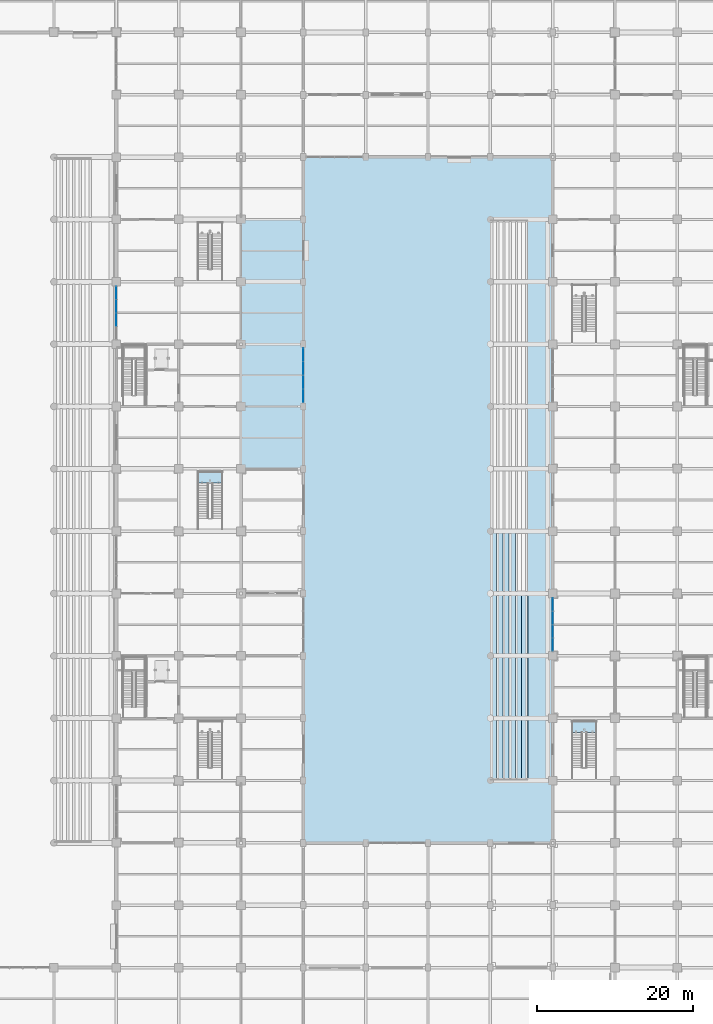
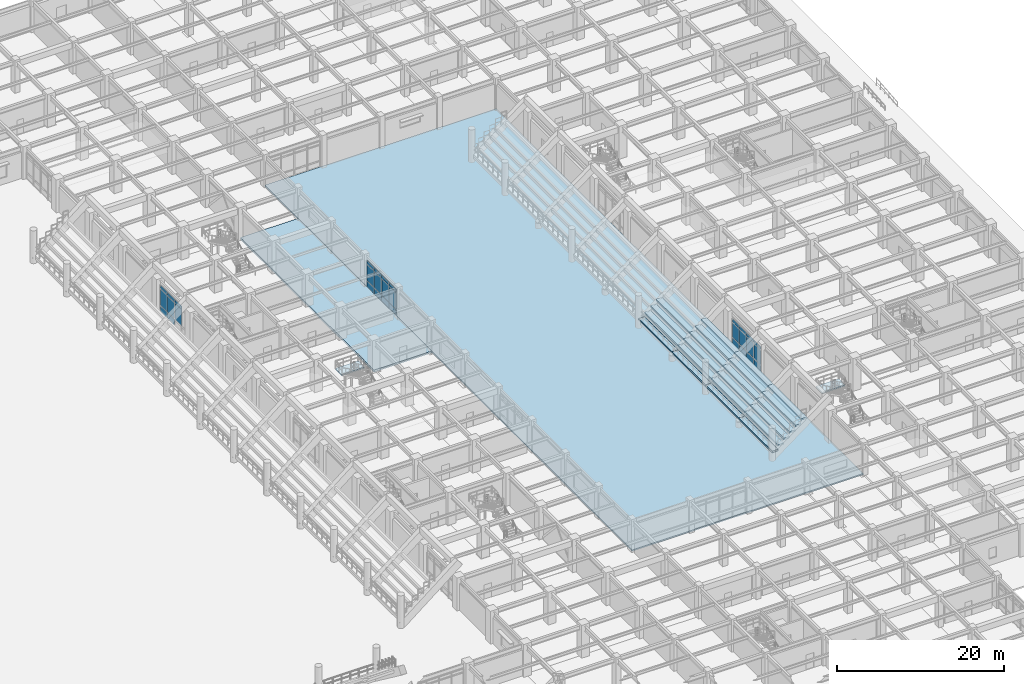
# One storey, part 65 of 125: 32 plates, 26 slabs, 5 elements without a shape of their own.
"""IFC4 building model written with IfcOpenShell, lengths in metres."""

from ifc_helpers import new_model, si_unit, direction, frame, origin, origin_2d, place, context, subcontext, project, spatial, polyline, rectangle, outline, extrude, material, layer, layer_set, type_object, element, aggregate, save


model = new_model("IFC4")

# Units and contexts
model_context = context("Model", 3, precision=1e-05, world=origin(), true_north=direction((0.0, 1.0)))
body_context = subcontext(model_context, "Body", "Model", "MODEL_VIEW")
ifc_project = project(units=[si_unit("LENGTHUNIT", "METRE"), si_unit("AREAUNIT", "SQUARE_METRE"), si_unit("VOLUMEUNIT", "CUBIC_METRE"), si_unit("PLANEANGLEUNIT", "RADIAN"), si_unit("MASSUNIT", "GRAM", prefix="KILO")], contexts=[model_context])

# Site, building, storey
site_placement = place(None, origin())
site = spatial("IfcSite", under=ifc_project, at=site_placement, CompositionType="ELEMENT")
building_placement = place(site_placement, origin())
building = spatial("IfcBuilding", under=site, at=building_placement, Name="Haebicheon Civic Stadium", CompositionType="ELEMENT")
storey_placement = place(building_placement, origin())
storey = spatial("IfcBuildingStorey", under=building, at=storey_placement, Name="L01", CompositionType="ELEMENT", Elevation=0.0)

# Curtain wall, plates
ifc_material_1 = material(Name="Anodised aluminium and laminated glass", Category="aluminium")
ifc_layer_1 = layer(ifc_material_1, 0.179931640625, Name="Anodised aluminium and laminated glass")
ifc_layer_set_1 = layer_set([ifc_layer_1], Name="Anodised aluminium and laminated glass")
curtain_wall_type_1 = type_object("IfcCurtainWallType", Name="CW-6900x3910", PredefinedType="NOTDEFINED", material=ifc_layer_set_1)
curtain_wall_1_placement = place(storey_placement, origin())
curtain_wall_1 = element("IfcCurtainWall", 1, at=curtain_wall_1_placement, inside=storey, type_object=curtain_wall_type_1, material=ifc_layer_set_1, Name="L01 unitised curtain wall 015", PredefinedType="NOTDEFINED")
ifc_material_2 = material(Name="Double low-e laminated glass", Category="glass")
ifc_layer_2 = layer(ifc_material_2, 0.028076171875, Name="Double low-e laminated glass")
ifc_layer_set_2 = layer_set([ifc_layer_2], Name="Double low-e laminated glass")
plate_type_1 = type_object("IfcPlateType", Name="CWP-GLZ-28", PredefinedType="CURTAIN_PANEL", material=ifc_layer_set_2)
plate_1_placement = place(storey_placement, frame((144.0, 115.137939453125, 0.93994140625), z_axis=(0.0, 0.0, 1.0), x_axis=(0.0, 1.0, 0.0)))
plate_1 = element("IfcPlate", 2, at=plate_1_placement, type_object=plate_type_1, material=ifc_layer_set_2, Name="CW-L01-015 vision panel 2.2", PredefinedType="CURTAIN_PANEL", context=body_context, shape_type="SweptSolid", body=[
    extrude(rectangle(XDim=1.64501953125, YDim=0.028076171875, at=origin_2d()), origin(), (0.0, 0.0, 1.0), 2.3798828125),
])
plate_2_placement = place(storey_placement, frame((144.0, 116.862060546875, 0.93994140625), z_axis=(0.0, 0.0, 1.0), x_axis=(0.0, 1.0, 0.0)))
plate_2 = element("IfcPlate", 3, at=plate_2_placement, type_object=plate_type_1, material=ifc_layer_set_2, Name="CW-L01-015 vision panel 3.2", PredefinedType="CURTAIN_PANEL", context=body_context, shape_type="SweptSolid", body=[
    extrude(rectangle(XDim=1.64501953125, YDim=0.028076171875, at=origin_2d()), origin(), (0.0, 0.0, 1.0), 2.3798828125),
])
plate_3_placement = place(storey_placement, frame((144.0, 118.568115234375, 0.93994140625), z_axis=(0.0, 0.0, 1.0), x_axis=(0.0, 1.0, 0.0)))
plate_3 = element("IfcPlate", 4, at=plate_3_placement, type_object=plate_type_1, material=ifc_layer_set_2, Name="CW-L01-015 vision panel 4.2", PredefinedType="CURTAIN_PANEL", context=body_context, shape_type="SweptSolid", body=[
    extrude(rectangle(XDim=1.60498046875, YDim=0.028076171875, at=origin_2d()), origin(), (0.0, 0.0, 1.0), 2.3798828125),
])

ifc_material_3 = material(Name="Anodised aluminium and laminated glass", Category="aluminium")
ifc_layer_3 = layer(ifc_material_3, 0.179931640625, Name="Anodised aluminium and laminated glass")
ifc_layer_set_3 = layer_set([ifc_layer_3], Name="Anodised aluminium and laminated glass")
curtain_wall_type_2 = type_object("IfcCurtainWallType", Name="CW-7100x3910", PredefinedType="NOTDEFINED", material=ifc_layer_set_3)
curtain_wall_2_placement = place(storey_placement, origin())
curtain_wall_2 = element("IfcCurtainWall", 5, at=curtain_wall_2_placement, inside=storey, type_object=curtain_wall_type_2, material=ifc_layer_set_3, Name="L01 unitised curtain wall 019", PredefinedType="NOTDEFINED")
plate_4_placement = place(storey_placement, frame((168.0, 105.35791015625, 0.93994140625), z_axis=(0.0, 0.0, 1.0), x_axis=(0.0, 1.0, 0.0)))
plate_4 = element("IfcPlate", 6, at=plate_4_placement, type_object=plate_type_1, material=ifc_layer_set_2, Name="CW-L01-019 vision panel 1.2", PredefinedType="CURTAIN_PANEL", context=body_context, shape_type="SweptSolid", body=[
    extrude(rectangle(XDim=1.655029296875, YDim=0.028076171875, at=origin_2d()), origin(), (0.0, 0.0, 1.0), 2.3798828125),
])
plate_5_placement = place(storey_placement, frame((168.0, 107.112060546875, 0.93994140625), z_axis=(0.0, 0.0, 1.0), x_axis=(0.0, 1.0, 0.0)))
plate_5 = element("IfcPlate", 7, at=plate_5_placement, type_object=plate_type_1, material=ifc_layer_set_2, Name="CW-L01-019 vision panel 2.2", PredefinedType="CURTAIN_PANEL", context=body_context, shape_type="SweptSolid", body=[
    extrude(rectangle(XDim=1.695068359375, YDim=0.028076171875, at=origin_2d()), origin(), (0.0, 0.0, 1.0), 2.3798828125),
])
plate_6_placement = place(storey_placement, frame((168.0, 108.887939453125, 0.93994140625), z_axis=(0.0, 0.0, 1.0), x_axis=(0.0, 1.0, 0.0)))
plate_6 = element("IfcPlate", 8, at=plate_6_placement, type_object=plate_type_1, material=ifc_layer_set_2, Name="CW-L01-019 vision panel 3.2", PredefinedType="CURTAIN_PANEL", context=body_context, shape_type="SweptSolid", body=[
    extrude(rectangle(XDim=1.695068359375, YDim=0.028076171875, at=origin_2d()), origin(), (0.0, 0.0, 1.0), 2.3798828125),
])
plate_7_placement = place(storey_placement, frame((168.0, 110.64208984375, 0.93994140625), z_axis=(0.0, 0.0, 1.0), x_axis=(0.0, 1.0, 0.0)))
plate_7 = element("IfcPlate", 9, at=plate_7_placement, type_object=plate_type_1, material=ifc_layer_set_2, Name="CW-L01-019 vision panel 4.2", PredefinedType="CURTAIN_PANEL", context=body_context, shape_type="SweptSolid", body=[
    extrude(rectangle(XDim=1.655029296875, YDim=0.028076171875, at=origin_2d()), origin(), (0.0, 0.0, 1.0), 2.3798828125),
])

ifc_material_4 = material(Name="Anodised aluminium and laminated glass", Category="aluminium")
ifc_layer_4 = layer(ifc_material_4, 0.179931640625, Name="Anodised aluminium and laminated glass")
ifc_layer_set_4 = layer_set([ifc_layer_4], Name="Anodised aluminium and laminated glass")
curtain_wall_type_3 = type_object("IfcCurtainWallType", Name="CW-6900x3660", PredefinedType="NOTDEFINED", material=ifc_layer_set_4)
curtain_wall_3_placement = place(storey_placement, origin())
curtain_wall_3 = element("IfcCurtainWall", 10, at=curtain_wall_3_placement, inside=storey, type_object=curtain_wall_type_3, material=ifc_layer_set_4, Name="L01 unitised curtain wall 025", PredefinedType="NOTDEFINED")
plate_8_placement = place(storey_placement, frame((200.0, 73.431884765625, 0.93994140625), z_axis=(0.0, 0.0, 1.0), x_axis=(0.0, 1.0, 0.0)))
plate_8 = element("IfcPlate", 11, at=plate_8_placement, type_object=plate_type_1, material=ifc_layer_set_2, Name="CW-L01-025 vision panel 1.2", PredefinedType="CURTAIN_PANEL", context=body_context, shape_type="SweptSolid", body=[
    extrude(rectangle(XDim=1.60498046875, YDim=0.028076171875, at=origin_2d()), origin(), (0.0, 0.0, 1.0), 2.1298828125),
])
plate_9_placement = place(storey_placement, frame((200.0, 75.137939453125, 0.93994140625), z_axis=(0.0, 0.0, 1.0), x_axis=(0.0, 1.0, 0.0)))
plate_9 = element("IfcPlate", 12, at=plate_9_placement, type_object=plate_type_1, material=ifc_layer_set_2, Name="CW-L01-025 vision panel 2.2", PredefinedType="CURTAIN_PANEL", context=body_context, shape_type="SweptSolid", body=[
    extrude(rectangle(XDim=1.64501953125, YDim=0.028076171875, at=origin_2d()), origin(), (0.0, 0.0, 1.0), 2.1298828125),
])
plate_10_placement = place(storey_placement, frame((200.0, 76.862060546875, 0.93994140625), z_axis=(0.0, 0.0, 1.0), x_axis=(0.0, 1.0, 0.0)))
plate_10 = element("IfcPlate", 13, at=plate_10_placement, type_object=plate_type_1, material=ifc_layer_set_2, Name="CW-L01-025 vision panel 3.2", PredefinedType="CURTAIN_PANEL", context=body_context, shape_type="SweptSolid", body=[
    extrude(rectangle(XDim=1.64501953125, YDim=0.028076171875, at=origin_2d()), origin(), (0.0, 0.0, 1.0), 2.1298828125),
])
plate_11_placement = place(storey_placement, frame((200.0, 78.568115234375, 0.93994140625), z_axis=(0.0, 0.0, 1.0), x_axis=(0.0, 1.0, 0.0)))
plate_11 = element("IfcPlate", 14, at=plate_11_placement, type_object=plate_type_1, material=ifc_layer_set_2, Name="CW-L01-025 vision panel 4.2", PredefinedType="CURTAIN_PANEL", context=body_context, shape_type="SweptSolid", body=[
    extrude(rectangle(XDim=1.60498046875, YDim=0.028076171875, at=origin_2d()), origin(), (0.0, 0.0, 1.0), 2.1298828125),
])

# Plate
ifc_material_5 = material(Name="Anodised aluminium 6063-T6", Category="aluminium")
ifc_layer_5 = layer(ifc_material_5, 0.0439453125, Name="Anodised aluminium 6063-T6")
ifc_layer_set_5 = layer_set([ifc_layer_5], Name="Anodised aluminium 6063-T6")
plate_type_2 = type_object("IfcPlateType", Name="CWP-SPD-44", PredefinedType="CURTAIN_PANEL", material=ifc_layer_set_5)
plate_12_placement = place(storey_placement, frame((144.0, 115.137939453125, 3.39990234375), z_axis=(0.0, 0.0, 1.0), x_axis=(0.0, 1.0, 0.0)))
plate_12 = element("IfcPlate", 15, at=plate_12_placement, type_object=plate_type_2, material=ifc_layer_set_5, Name="CW-L01-015 spandrel panel 2.3", PredefinedType="CURTAIN_PANEL", context=body_context, shape_type="SweptSolid", body=[
    extrude(rectangle(XDim=1.64501953125, YDim=0.0439453125, at=origin_2d()), origin(), (0.0, 0.0, 1.0), 0.469970703125),
])

plate_13_placement = place(storey_placement, frame((144.0, 116.862060546875, 0.0400390625), z_axis=(0.0, 0.0, 1.0), x_axis=(0.0, 1.0, 0.0)))
plate_13 = element("IfcPlate", 16, at=plate_13_placement, type_object=plate_type_2, material=ifc_layer_set_5, Name="CW-L01-015 spandrel panel 3.1", PredefinedType="CURTAIN_PANEL", context=body_context, shape_type="SweptSolid", body=[
    extrude(rectangle(XDim=1.64501953125, YDim=0.0439453125, at=origin_2d()), origin(), (0.0, 0.0, 1.0), 0.820068359375),
])

plate_14_placement = place(storey_placement, frame((144.0, 116.862060546875, 3.39990234375), z_axis=(0.0, 0.0, 1.0), x_axis=(0.0, 1.0, 0.0)))
plate_14 = element("IfcPlate", 17, at=plate_14_placement, type_object=plate_type_2, material=ifc_layer_set_5, Name="CW-L01-015 spandrel panel 3.3", PredefinedType="CURTAIN_PANEL", context=body_context, shape_type="SweptSolid", body=[
    extrude(rectangle(XDim=1.64501953125, YDim=0.0439453125, at=origin_2d()), origin(), (0.0, 0.0, 1.0), 0.469970703125),
])

plate_15_placement = place(storey_placement, frame((144.0, 118.568115234375, 0.0400390625), z_axis=(0.0, 0.0, 1.0), x_axis=(0.0, 1.0, 0.0)))
plate_15 = element("IfcPlate", 18, at=plate_15_placement, type_object=plate_type_2, material=ifc_layer_set_5, Name="CW-L01-015 spandrel panel 4.1", PredefinedType="CURTAIN_PANEL", context=body_context, shape_type="SweptSolid", body=[
    extrude(rectangle(XDim=1.60498046875, YDim=0.0439453125, at=origin_2d()), origin(), (0.0, 0.0, 1.0), 0.820068359375),
])

plate_16_placement = place(storey_placement, frame((144.0, 118.568115234375, 3.39990234375), z_axis=(0.0, 0.0, 1.0), x_axis=(0.0, 1.0, 0.0)))
plate_16 = element("IfcPlate", 19, at=plate_16_placement, type_object=plate_type_2, material=ifc_layer_set_5, Name="CW-L01-015 spandrel panel 4.3", PredefinedType="CURTAIN_PANEL", context=body_context, shape_type="SweptSolid", body=[
    extrude(rectangle(XDim=1.60498046875, YDim=0.0439453125, at=origin_2d()), origin(), (0.0, 0.0, 1.0), 0.469970703125),
])

aggregate(curtain_wall_1, [plate_1, plate_12, plate_13, plate_2, plate_14, plate_15, plate_3, plate_16])

plate_17_placement = place(storey_placement, frame((168.0, 105.35791015625, 0.0400390625), z_axis=(0.0, 0.0, 1.0), x_axis=(0.0, 1.0, 0.0)))
plate_17 = element("IfcPlate", 20, at=plate_17_placement, type_object=plate_type_2, material=ifc_layer_set_5, Name="CW-L01-019 spandrel panel 1.1", PredefinedType="CURTAIN_PANEL", context=body_context, shape_type="SweptSolid", body=[
    extrude(rectangle(XDim=1.655029296875, YDim=0.0439453125, at=origin_2d()), origin(), (0.0, 0.0, 1.0), 0.820068359375),
])

plate_18_placement = place(storey_placement, frame((168.0, 105.35791015625, 3.39990234375), z_axis=(0.0, 0.0, 1.0), x_axis=(0.0, 1.0, 0.0)))
plate_18 = element("IfcPlate", 21, at=plate_18_placement, type_object=plate_type_2, material=ifc_layer_set_5, Name="CW-L01-019 spandrel panel 1.3", PredefinedType="CURTAIN_PANEL", context=body_context, shape_type="SweptSolid", body=[
    extrude(rectangle(XDim=1.655029296875, YDim=0.0439453125, at=origin_2d()), origin(), (0.0, 0.0, 1.0), 0.469970703125),
])

plate_19_placement = place(storey_placement, frame((168.0, 107.112060546875, 0.0400390625), z_axis=(0.0, 0.0, 1.0), x_axis=(0.0, 1.0, 0.0)))
plate_19 = element("IfcPlate", 22, at=plate_19_placement, type_object=plate_type_2, material=ifc_layer_set_5, Name="CW-L01-019 spandrel panel 2.1", PredefinedType="CURTAIN_PANEL", context=body_context, shape_type="SweptSolid", body=[
    extrude(rectangle(XDim=1.695068359375, YDim=0.0439453125, at=origin_2d()), origin(), (0.0, 0.0, 1.0), 0.820068359375),
])

plate_20_placement = place(storey_placement, frame((168.0, 107.112060546875, 3.39990234375), z_axis=(0.0, 0.0, 1.0), x_axis=(0.0, 1.0, 0.0)))
plate_20 = element("IfcPlate", 23, at=plate_20_placement, type_object=plate_type_2, material=ifc_layer_set_5, Name="CW-L01-019 spandrel panel 2.3", PredefinedType="CURTAIN_PANEL", context=body_context, shape_type="SweptSolid", body=[
    extrude(rectangle(XDim=1.695068359375, YDim=0.0439453125, at=origin_2d()), origin(), (0.0, 0.0, 1.0), 0.469970703125),
])

plate_21_placement = place(storey_placement, frame((168.0, 108.887939453125, 0.0400390625), z_axis=(0.0, 0.0, 1.0), x_axis=(0.0, 1.0, 0.0)))
plate_21 = element("IfcPlate", 24, at=plate_21_placement, type_object=plate_type_2, material=ifc_layer_set_5, Name="CW-L01-019 spandrel panel 3.1", PredefinedType="CURTAIN_PANEL", context=body_context, shape_type="SweptSolid", body=[
    extrude(rectangle(XDim=1.695068359375, YDim=0.0439453125, at=origin_2d()), origin(), (0.0, 0.0, 1.0), 0.820068359375),
])

plate_22_placement = place(storey_placement, frame((168.0, 108.887939453125, 3.39990234375), z_axis=(0.0, 0.0, 1.0), x_axis=(0.0, 1.0, 0.0)))
plate_22 = element("IfcPlate", 25, at=plate_22_placement, type_object=plate_type_2, material=ifc_layer_set_5, Name="CW-L01-019 spandrel panel 3.3", PredefinedType="CURTAIN_PANEL", context=body_context, shape_type="SweptSolid", body=[
    extrude(rectangle(XDim=1.695068359375, YDim=0.0439453125, at=origin_2d()), origin(), (0.0, 0.0, 1.0), 0.469970703125),
])

plate_23_placement = place(storey_placement, frame((168.0, 110.64208984375, 0.0400390625), z_axis=(0.0, 0.0, 1.0), x_axis=(0.0, 1.0, 0.0)))
plate_23 = element("IfcPlate", 26, at=plate_23_placement, type_object=plate_type_2, material=ifc_layer_set_5, Name="CW-L01-019 spandrel panel 4.1", PredefinedType="CURTAIN_PANEL", context=body_context, shape_type="SweptSolid", body=[
    extrude(rectangle(XDim=1.655029296875, YDim=0.0439453125, at=origin_2d()), origin(), (0.0, 0.0, 1.0), 0.820068359375),
])

plate_24_placement = place(storey_placement, frame((168.0, 110.64208984375, 3.39990234375), z_axis=(0.0, 0.0, 1.0), x_axis=(0.0, 1.0, 0.0)))
plate_24 = element("IfcPlate", 27, at=plate_24_placement, type_object=plate_type_2, material=ifc_layer_set_5, Name="CW-L01-019 spandrel panel 4.3", PredefinedType="CURTAIN_PANEL", context=body_context, shape_type="SweptSolid", body=[
    extrude(rectangle(XDim=1.655029296875, YDim=0.0439453125, at=origin_2d()), origin(), (0.0, 0.0, 1.0), 0.469970703125),
])

aggregate(curtain_wall_2, [plate_17, plate_4, plate_18, plate_19, plate_5, plate_20, plate_21, plate_6, plate_22, plate_23, plate_7, plate_24])

plate_25_placement = place(storey_placement, frame((200.0, 73.431884765625, 0.0400390625), z_axis=(0.0, 0.0, 1.0), x_axis=(0.0, 1.0, 0.0)))
plate_25 = element("IfcPlate", 28, at=plate_25_placement, type_object=plate_type_2, material=ifc_layer_set_5, Name="CW-L01-025 spandrel panel 1.1", PredefinedType="CURTAIN_PANEL", context=body_context, shape_type="SweptSolid", body=[
    extrude(rectangle(XDim=1.60498046875, YDim=0.0439453125, at=origin_2d()), origin(), (0.0, 0.0, 1.0), 0.820068359375),
])

plate_26_placement = place(storey_placement, frame((200.0, 73.431884765625, 3.14990234375), z_axis=(0.0, 0.0, 1.0), x_axis=(0.0, 1.0, 0.0)))
plate_26 = element("IfcPlate", 29, at=plate_26_placement, type_object=plate_type_2, material=ifc_layer_set_5, Name="CW-L01-025 spandrel panel 1.3", PredefinedType="CURTAIN_PANEL", context=body_context, shape_type="SweptSolid", body=[
    extrude(rectangle(XDim=1.60498046875, YDim=0.0439453125, at=origin_2d()), origin(), (0.0, 0.0, 1.0), 0.469970703125),
])

plate_27_placement = place(storey_placement, frame((200.0, 75.137939453125, 0.0400390625), z_axis=(0.0, 0.0, 1.0), x_axis=(0.0, 1.0, 0.0)))
plate_27 = element("IfcPlate", 30, at=plate_27_placement, type_object=plate_type_2, material=ifc_layer_set_5, Name="CW-L01-025 spandrel panel 2.1", PredefinedType="CURTAIN_PANEL", context=body_context, shape_type="SweptSolid", body=[
    extrude(rectangle(XDim=1.64501953125, YDim=0.0439453125, at=origin_2d()), origin(), (0.0, 0.0, 1.0), 0.820068359375),
])

plate_28_placement = place(storey_placement, frame((200.0, 75.137939453125, 3.14990234375), z_axis=(0.0, 0.0, 1.0), x_axis=(0.0, 1.0, 0.0)))
plate_28 = element("IfcPlate", 31, at=plate_28_placement, type_object=plate_type_2, material=ifc_layer_set_5, Name="CW-L01-025 spandrel panel 2.3", PredefinedType="CURTAIN_PANEL", context=body_context, shape_type="SweptSolid", body=[
    extrude(rectangle(XDim=1.64501953125, YDim=0.0439453125, at=origin_2d()), origin(), (0.0, 0.0, 1.0), 0.469970703125),
])

plate_29_placement = place(storey_placement, frame((200.0, 76.862060546875, 0.0400390625), z_axis=(0.0, 0.0, 1.0), x_axis=(0.0, 1.0, 0.0)))
plate_29 = element("IfcPlate", 32, at=plate_29_placement, type_object=plate_type_2, material=ifc_layer_set_5, Name="CW-L01-025 spandrel panel 3.1", PredefinedType="CURTAIN_PANEL", context=body_context, shape_type="SweptSolid", body=[
    extrude(rectangle(XDim=1.64501953125, YDim=0.0439453125, at=origin_2d()), origin(), (0.0, 0.0, 1.0), 0.820068359375),
])

plate_30_placement = place(storey_placement, frame((200.0, 76.862060546875, 3.14990234375), z_axis=(0.0, 0.0, 1.0), x_axis=(0.0, 1.0, 0.0)))
plate_30 = element("IfcPlate", 33, at=plate_30_placement, type_object=plate_type_2, material=ifc_layer_set_5, Name="CW-L01-025 spandrel panel 3.3", PredefinedType="CURTAIN_PANEL", context=body_context, shape_type="SweptSolid", body=[
    extrude(rectangle(XDim=1.64501953125, YDim=0.0439453125, at=origin_2d()), origin(), (0.0, 0.0, 1.0), 0.469970703125),
])

plate_31_placement = place(storey_placement, frame((200.0, 78.568115234375, 0.0400390625), z_axis=(0.0, 0.0, 1.0), x_axis=(0.0, 1.0, 0.0)))
plate_31 = element("IfcPlate", 34, at=plate_31_placement, type_object=plate_type_2, material=ifc_layer_set_5, Name="CW-L01-025 spandrel panel 4.1", PredefinedType="CURTAIN_PANEL", context=body_context, shape_type="SweptSolid", body=[
    extrude(rectangle(XDim=1.60498046875, YDim=0.0439453125, at=origin_2d()), origin(), (0.0, 0.0, 1.0), 0.820068359375),
])

plate_32_placement = place(storey_placement, frame((200.0, 78.568115234375, 3.14990234375), z_axis=(0.0, 0.0, 1.0), x_axis=(0.0, 1.0, 0.0)))
plate_32 = element("IfcPlate", 35, at=plate_32_placement, type_object=plate_type_2, material=ifc_layer_set_5, Name="CW-L01-025 spandrel panel 4.3", PredefinedType="CURTAIN_PANEL", context=body_context, shape_type="SweptSolid", body=[
    extrude(rectangle(XDim=1.60498046875, YDim=0.0439453125, at=origin_2d()), origin(), (0.0, 0.0, 1.0), 0.469970703125),
])

aggregate(curtain_wall_3, [plate_25, plate_8, plate_26, plate_27, plate_9, plate_28, plate_29, plate_10, plate_30, plate_31, plate_11, plate_32])

# Slab
ifc_material_6 = material(Name="Concrete C40/50", Category="concrete")
ifc_layer_6 = layer(ifc_material_6, 0.300048828125, Name="Concrete C40/50")
ifc_layer_set_6 = layer_set([ifc_layer_6], Name="Concrete C40/50")
slab_type_1 = type_object("IfcSlabType", Name="SLB-FLR-300", PredefinedType="FLOOR", material=ifc_layer_set_6)
slab_1_placement = place(storey_placement, frame((0.0, 0.0, -0.300048828125)))
element("IfcSlab", 36, at=slab_1_placement, inside=storey, type_object=slab_type_1, material=ifc_layer_set_6, Name="L01 V4 structural slab 7.1", PredefinedType="FLOOR", context=body_context, shape_type="SweptSolid", body=[
    extrude(outline(polyline([(160.0, 96.0), (160.0, 104.0), (160.0, 112.0), (160.0, 120.0), (160.0, 128.0), (168.0, 128.0), (168.0, 120.0), (168.0, 112.0), (168.0, 104.0), (168.0, 96.0), (160.0, 96.0)])), origin(), (0.0, 0.0, 1.0), 0.300048828125),
])

# Stair, slab
ifc_material_7 = material(Name="Concrete C40/50", Category="concrete")
stair_type = type_object("IfcStairType", Name="STR-DL-W136-H48", PredefinedType="HALF_TURN_STAIR", material=ifc_material_7)
stair_1_placement = place(storey_placement, origin())
stair_1 = element("IfcStair", 37, at=stair_1_placement, inside=storey, type_object=stair_type, material=ifc_material_7, Name="Vomitory stair VM-07 (L01)", PredefinedType="HALF_TURN_STAIR")
ifc_material_8 = material(Name="Concrete C40/50", Category="concrete")
ifc_layer_7 = layer(ifc_material_8, 0.199951171875, Name="Concrete C40/50")
ifc_layer_set_7 = layer_set([ifc_layer_7], Name="Concrete C40/50")
slab_type_2 = type_object("IfcSlabType", Name="SLB-LND-200", PredefinedType="LANDING", material=ifc_layer_set_7)
slab_2_placement = place(storey_placement, frame((0.0, 0.0, 2.199951171875)))
slab_2 = element("IfcSlab", 38, at=slab_2_placement, type_object=slab_type_2, material=ifc_layer_set_7, Name="VM-07 landing 1", PredefinedType="LANDING", context=body_context, shape_type="SweptSolid", body=[
    extrude(outline(polyline([(157.639892578125, 94.14990234375), (157.639892578125, 95.64990234375), (154.4599609375, 95.64990234375), (154.4599609375, 94.14990234375), (157.639892578125, 94.14990234375)])), origin(), (0.0, 0.0, 1.0), 0.199951171875),
])
aggregate(stair_1, [slab_2])

stair_2_placement = place(storey_placement, origin())
stair_2 = element("IfcStair", 39, at=stair_2_placement, inside=storey, type_object=stair_type, material=ifc_material_7, Name="Vomitory stair VM-11 (L01)", PredefinedType="HALF_TURN_STAIR")
slab_3_placement = place(storey_placement, frame((0.0, 0.0, 2.199951171875)))
slab_3 = element("IfcSlab", 40, at=slab_3_placement, type_object=slab_type_2, material=ifc_layer_set_7, Name="VM-11 landing 1", PredefinedType="LANDING", context=body_context, shape_type="SweptSolid", body=[
    extrude(outline(polyline([(205.639892578125, 62.14990234375), (205.639892578125, 63.64990234375), (202.4599609375, 63.64990234375), (202.4599609375, 62.14990234375), (205.639892578125, 62.14990234375)])), origin(), (0.0, 0.0, 1.0), 0.199951171875),
])
aggregate(stair_2, [slab_3])

# Slabs
ifc_material_9 = material(Name="Precast concrete C35/45", Category="concrete")
ifc_layer_8 = layer(ifc_material_9, 0.199951171875, Name="Precast concrete C35/45")
ifc_layer_set_8 = layer_set([ifc_layer_8], Name="Precast concrete C35/45")
slab_type_3 = type_object("IfcSlabType", Name="SLB-PAV-200", PredefinedType="BASESLAB", material=ifc_layer_set_8)
slab_4_placement = place(storey_placement, frame((0.0, 0.0, -0.199951171875)))
element("IfcSlab", 41, at=slab_4_placement, inside=storey, type_object=slab_type_3, material=ifc_layer_set_8, Name="Exterior plaza paving apron APR-WARMUP-RIM", PredefinedType="BASESLAB", context=body_context, shape_type="SweptSolid", body=[
    extrude(outline(polyline([(168.0048828125, 135.9951171875), (199.9951171875, 135.9951171875), (199.9951171875, 48.0048828125), (168.0048828125, 48.0048828125), (168.0048828125, 135.9951171875)])), origin(), (0.0, 0.0, 1.0), 0.199951171875),
])
ifc_material_10 = material(Name="Precast concrete C40/50", Category="concrete")
ifc_layer_9 = layer(ifc_material_10, 0.239990234375, Name="Precast concrete C40/50")
ifc_layer_set_9 = layer_set([ifc_layer_9], Name="Precast concrete C40/50")
slab_type_4 = type_object("IfcSlabType", Name="SLB-TIER-240", PredefinedType="USERDEFINED", material=ifc_layer_set_9)
slab_5_placement = place(storey_placement, frame((0.0, 0.0, 0.9599609375)))
element("IfcSlab", 42, at=slab_5_placement, inside=storey, type_object=slab_type_4, material=ifc_layer_set_9, Name="TIER-C-L precast seating tier bay 1 row-band 1", ObjectType="SEATING TIER", PredefinedType="USERDEFINED", context=body_context, shape_type="SweptSolid", body=[
    extrude(outline(polyline([(192.0, 56.0), (192.800048828125, 56.0), (192.800048828125, 64.0), (192.0, 64.0), (192.0, 56.0)])), origin(), (0.0, 0.0, 1.0), 0.239990234375),
])
slab_6_placement = place(storey_placement, frame((0.0, 0.0, 1.626953125)))
element("IfcSlab", 43, at=slab_6_placement, inside=storey, type_object=slab_type_4, material=ifc_layer_set_9, Name="TIER-C-L precast seating tier bay 1 row-band 2", ObjectType="SEATING TIER", PredefinedType="USERDEFINED", context=body_context, shape_type="SweptSolid", body=[
    extrude(outline(polyline([(192.800048828125, 56.0), (193.60009765625, 56.0), (193.60009765625, 64.0), (192.800048828125, 64.0), (192.800048828125, 56.0)])), origin(), (0.0, 0.0, 1.0), 0.239990234375),
])
slab_7_placement = place(storey_placement, frame((0.0, 0.0, 2.29296875)))
element("IfcSlab", 44, at=slab_7_placement, inside=storey, type_object=slab_type_4, material=ifc_layer_set_9, Name="TIER-C-L precast seating tier bay 1 row-band 3", ObjectType="SEATING TIER", PredefinedType="USERDEFINED", context=body_context, shape_type="SweptSolid", body=[
    extrude(outline(polyline([(193.60009765625, 56.0), (194.39990234375, 56.0), (194.39990234375, 64.0), (193.60009765625, 64.0), (193.60009765625, 56.0)])), origin(), (0.0, 0.0, 1.0), 0.239990234375),
])
slab_8_placement = place(storey_placement, frame((0.0, 0.0, 2.9599609375)))
element("IfcSlab", 45, at=slab_8_placement, inside=storey, type_object=slab_type_4, material=ifc_layer_set_9, Name="TIER-C-L precast seating tier bay 1 row-band 4", ObjectType="SEATING TIER", PredefinedType="USERDEFINED", context=body_context, shape_type="SweptSolid", body=[
    extrude(outline(polyline([(194.39990234375, 56.0), (195.199951171875, 56.0), (195.199951171875, 64.0), (194.39990234375, 64.0), (194.39990234375, 56.0)])), origin(), (0.0, 0.0, 1.0), 0.239990234375),
])
slab_9_placement = place(storey_placement, frame((0.0, 0.0, 3.626953125)))
element("IfcSlab", 46, at=slab_9_placement, inside=storey, type_object=slab_type_4, material=ifc_layer_set_9, Name="TIER-C-L precast seating tier bay 1 row-band 5", ObjectType="SEATING TIER", PredefinedType="USERDEFINED", context=body_context, shape_type="SweptSolid", body=[
    extrude(outline(polyline([(195.199951171875, 56.0), (196.0, 56.0), (196.0, 64.0), (195.199951171875, 64.0), (195.199951171875, 56.0)])), origin(), (0.0, 0.0, 1.0), 0.239990234375),
])
slab_10_placement = place(storey_placement, frame((0.0, 0.0, 4.29296875)))
element("IfcSlab", 47, at=slab_10_placement, inside=storey, type_object=slab_type_4, material=ifc_layer_set_9, Name="TIER-C-L precast seating tier bay 1 row-band 6", ObjectType="SEATING TIER", PredefinedType="USERDEFINED", context=body_context, shape_type="SweptSolid", body=[
    extrude(outline(polyline([(196.0, 56.0), (196.800048828125, 56.0), (196.800048828125, 64.0), (196.0, 64.0), (196.0, 56.0)])), origin(), (0.0, 0.0, 1.0), 0.239990234375),
])
slab_11_placement = place(storey_placement, frame((0.0, 0.0, 0.9599609375)))
element("IfcSlab", 48, at=slab_11_placement, inside=storey, type_object=slab_type_4, material=ifc_layer_set_9, Name="TIER-C-L precast seating tier bay 2 row-band 1", ObjectType="SEATING TIER", PredefinedType="USERDEFINED", context=body_context, shape_type="SweptSolid", body=[
    extrude(outline(polyline([(192.0, 64.0), (192.800048828125, 64.0), (192.800048828125, 72.0), (192.0, 72.0), (192.0, 64.0)])), origin(), (0.0, 0.0, 1.0), 0.239990234375),
])
slab_12_placement = place(storey_placement, frame((0.0, 0.0, 1.626953125)))
element("IfcSlab", 49, at=slab_12_placement, inside=storey, type_object=slab_type_4, material=ifc_layer_set_9, Name="TIER-C-L precast seating tier bay 2 row-band 2", ObjectType="SEATING TIER", PredefinedType="USERDEFINED", context=body_context, shape_type="SweptSolid", body=[
    extrude(outline(polyline([(192.800048828125, 64.0), (193.60009765625, 64.0), (193.60009765625, 72.0), (192.800048828125, 72.0), (192.800048828125, 64.0)])), origin(), (0.0, 0.0, 1.0), 0.239990234375),
])
slab_13_placement = place(storey_placement, frame((0.0, 0.0, 2.29296875)))
element("IfcSlab", 50, at=slab_13_placement, inside=storey, type_object=slab_type_4, material=ifc_layer_set_9, Name="TIER-C-L precast seating tier bay 2 row-band 3", ObjectType="SEATING TIER", PredefinedType="USERDEFINED", context=body_context, shape_type="SweptSolid", body=[
    extrude(outline(polyline([(193.60009765625, 64.0), (194.39990234375, 64.0), (194.39990234375, 72.0), (193.60009765625, 72.0), (193.60009765625, 64.0)])), origin(), (0.0, 0.0, 1.0), 0.239990234375),
])
slab_14_placement = place(storey_placement, frame((0.0, 0.0, 2.9599609375)))
element("IfcSlab", 51, at=slab_14_placement, inside=storey, type_object=slab_type_4, material=ifc_layer_set_9, Name="TIER-C-L precast seating tier bay 2 row-band 4", ObjectType="SEATING TIER", PredefinedType="USERDEFINED", context=body_context, shape_type="SweptSolid", body=[
    extrude(outline(polyline([(194.39990234375, 64.0), (195.199951171875, 64.0), (195.199951171875, 72.0), (194.39990234375, 72.0), (194.39990234375, 64.0)])), origin(), (0.0, 0.0, 1.0), 0.239990234375),
])
slab_15_placement = place(storey_placement, frame((0.0, 0.0, 3.626953125)))
element("IfcSlab", 52, at=slab_15_placement, inside=storey, type_object=slab_type_4, material=ifc_layer_set_9, Name="TIER-C-L precast seating tier bay 2 row-band 5", ObjectType="SEATING TIER", PredefinedType="USERDEFINED", context=body_context, shape_type="SweptSolid", body=[
    extrude(outline(polyline([(195.199951171875, 64.0), (196.0, 64.0), (196.0, 72.0), (195.199951171875, 72.0), (195.199951171875, 64.0)])), origin(), (0.0, 0.0, 1.0), 0.239990234375),
])
slab_16_placement = place(storey_placement, frame((0.0, 0.0, 4.29296875)))
element("IfcSlab", 53, at=slab_16_placement, inside=storey, type_object=slab_type_4, material=ifc_layer_set_9, Name="TIER-C-L precast seating tier bay 2 row-band 6", ObjectType="SEATING TIER", PredefinedType="USERDEFINED", context=body_context, shape_type="SweptSolid", body=[
    extrude(outline(polyline([(196.0, 64.0), (196.800048828125, 64.0), (196.800048828125, 72.0), (196.0, 72.0), (196.0, 64.0)])), origin(), (0.0, 0.0, 1.0), 0.239990234375),
])
slab_17_placement = place(storey_placement, frame((0.0, 0.0, 0.9599609375)))
element("IfcSlab", 54, at=slab_17_placement, inside=storey, type_object=slab_type_4, material=ifc_layer_set_9, Name="TIER-C-L precast seating tier bay 3 row-band 1", ObjectType="SEATING TIER", PredefinedType="USERDEFINED", context=body_context, shape_type="SweptSolid", body=[
    extrude(outline(polyline([(192.0, 72.0), (192.800048828125, 72.0), (192.800048828125, 80.0), (192.0, 80.0), (192.0, 72.0)])), origin(), (0.0, 0.0, 1.0), 0.239990234375),
])
slab_18_placement = place(storey_placement, frame((0.0, 0.0, 1.626953125)))
element("IfcSlab", 55, at=slab_18_placement, inside=storey, type_object=slab_type_4, material=ifc_layer_set_9, Name="TIER-C-L precast seating tier bay 3 row-band 2", ObjectType="SEATING TIER", PredefinedType="USERDEFINED", context=body_context, shape_type="SweptSolid", body=[
    extrude(outline(polyline([(192.800048828125, 72.0), (193.60009765625, 72.0), (193.60009765625, 80.0), (192.800048828125, 80.0), (192.800048828125, 72.0)])), origin(), (0.0, 0.0, 1.0), 0.239990234375),
])
slab_19_placement = place(storey_placement, frame((0.0, 0.0, 2.29296875)))
element("IfcSlab", 56, at=slab_19_placement, inside=storey, type_object=slab_type_4, material=ifc_layer_set_9, Name="TIER-C-L precast seating tier bay 3 row-band 3", ObjectType="SEATING TIER", PredefinedType="USERDEFINED", context=body_context, shape_type="SweptSolid", body=[
    extrude(outline(polyline([(193.60009765625, 72.0), (194.39990234375, 72.0), (194.39990234375, 80.0), (193.60009765625, 80.0), (193.60009765625, 72.0)])), origin(), (0.0, 0.0, 1.0), 0.239990234375),
])
slab_20_placement = place(storey_placement, frame((0.0, 0.0, 2.9599609375)))
element("IfcSlab", 57, at=slab_20_placement, inside=storey, type_object=slab_type_4, material=ifc_layer_set_9, Name="TIER-C-L precast seating tier bay 3 row-band 4", ObjectType="SEATING TIER", PredefinedType="USERDEFINED", context=body_context, shape_type="SweptSolid", body=[
    extrude(outline(polyline([(194.39990234375, 72.0), (195.199951171875, 72.0), (195.199951171875, 80.0), (194.39990234375, 80.0), (194.39990234375, 72.0)])), origin(), (0.0, 0.0, 1.0), 0.239990234375),
])
slab_21_placement = place(storey_placement, frame((0.0, 0.0, 3.626953125)))
element("IfcSlab", 58, at=slab_21_placement, inside=storey, type_object=slab_type_4, material=ifc_layer_set_9, Name="TIER-C-L precast seating tier bay 3 row-band 5", ObjectType="SEATING TIER", PredefinedType="USERDEFINED", context=body_context, shape_type="SweptSolid", body=[
    extrude(outline(polyline([(195.199951171875, 72.0), (196.0, 72.0), (196.0, 80.0), (195.199951171875, 80.0), (195.199951171875, 72.0)])), origin(), (0.0, 0.0, 1.0), 0.239990234375),
])
slab_22_placement = place(storey_placement, frame((0.0, 0.0, 4.29296875)))
element("IfcSlab", 59, at=slab_22_placement, inside=storey, type_object=slab_type_4, material=ifc_layer_set_9, Name="TIER-C-L precast seating tier bay 3 row-band 6", ObjectType="SEATING TIER", PredefinedType="USERDEFINED", context=body_context, shape_type="SweptSolid", body=[
    extrude(outline(polyline([(196.0, 72.0), (196.800048828125, 72.0), (196.800048828125, 80.0), (196.0, 80.0), (196.0, 72.0)])), origin(), (0.0, 0.0, 1.0), 0.239990234375),
])
slab_23_placement = place(storey_placement, frame((0.0, 0.0, 0.9599609375)))
element("IfcSlab", 60, at=slab_23_placement, inside=storey, type_object=slab_type_4, material=ifc_layer_set_9, Name="TIER-C-L precast seating tier bay 4 row-band 1", ObjectType="SEATING TIER", PredefinedType="USERDEFINED", context=body_context, shape_type="SweptSolid", body=[
    extrude(outline(polyline([(192.0, 80.0), (192.800048828125, 80.0), (192.800048828125, 88.0), (192.0, 88.0), (192.0, 80.0)])), origin(), (0.0, 0.0, 1.0), 0.239990234375),
])
slab_24_placement = place(storey_placement, frame((0.0, 0.0, 1.626953125)))
element("IfcSlab", 61, at=slab_24_placement, inside=storey, type_object=slab_type_4, material=ifc_layer_set_9, Name="TIER-C-L precast seating tier bay 4 row-band 2", ObjectType="SEATING TIER", PredefinedType="USERDEFINED", context=body_context, shape_type="SweptSolid", body=[
    extrude(outline(polyline([(192.800048828125, 80.0), (193.60009765625, 80.0), (193.60009765625, 88.0), (192.800048828125, 88.0), (192.800048828125, 80.0)])), origin(), (0.0, 0.0, 1.0), 0.239990234375),
])
slab_25_placement = place(storey_placement, frame((0.0, 0.0, 2.29296875)))
element("IfcSlab", 62, at=slab_25_placement, inside=storey, type_object=slab_type_4, material=ifc_layer_set_9, Name="TIER-C-L precast seating tier bay 4 row-band 3", ObjectType="SEATING TIER", PredefinedType="USERDEFINED", context=body_context, shape_type="SweptSolid", body=[
    extrude(outline(polyline([(193.60009765625, 80.0), (194.39990234375, 80.0), (194.39990234375, 88.0), (193.60009765625, 88.0), (193.60009765625, 80.0)])), origin(), (0.0, 0.0, 1.0), 0.239990234375),
])
slab_26_placement = place(storey_placement, frame((0.0, 0.0, 2.9599609375)))
element("IfcSlab", 63, at=slab_26_placement, inside=storey, type_object=slab_type_4, material=ifc_layer_set_9, Name="TIER-C-L precast seating tier bay 4 row-band 4", ObjectType="SEATING TIER", PredefinedType="USERDEFINED", context=body_context, shape_type="SweptSolid", body=[
    extrude(outline(polyline([(194.39990234375, 80.0), (195.199951171875, 80.0), (195.199951171875, 88.0), (194.39990234375, 88.0), (194.39990234375, 80.0)])), origin(), (0.0, 0.0, 1.0), 0.239990234375),
])

save(model, "model.ifc")
